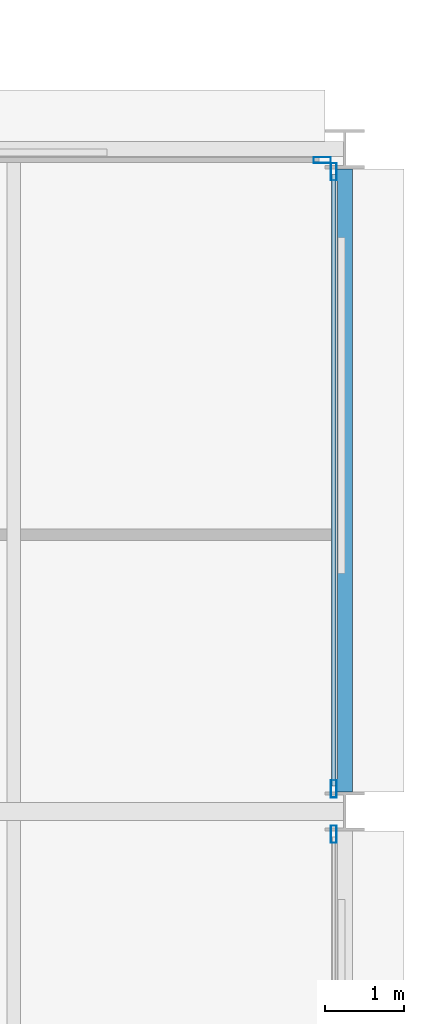
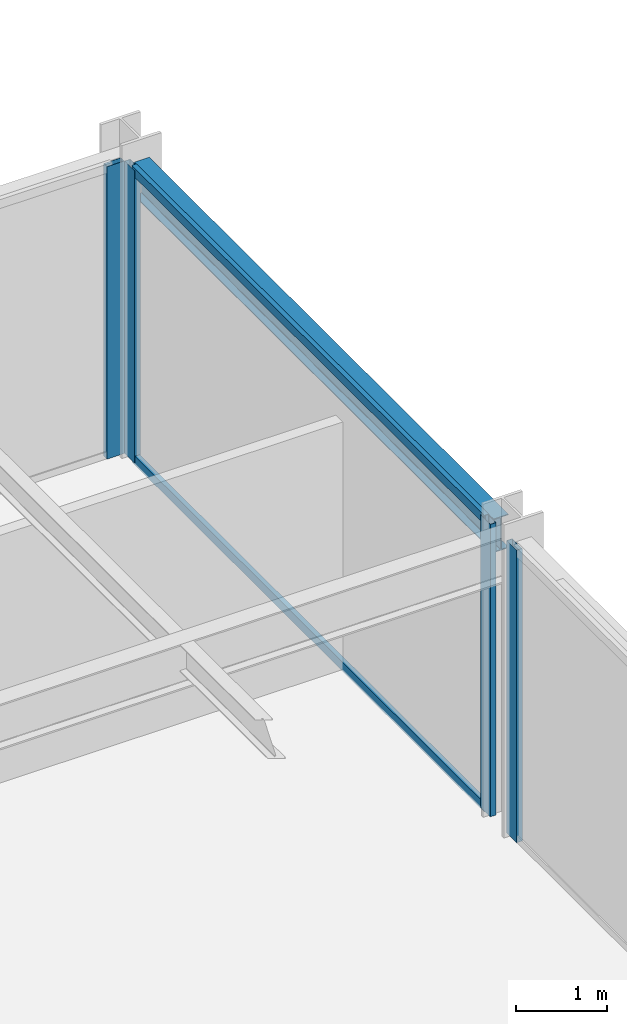
# One storey, part 13 of 25: 6 members, 1 beam, 3 elements without a shape of their own.
"""IFC4 building model written with IfcOpenShell, lengths in metres."""

from ifc_helpers import new_model, si_unit, direction, frame, origin, origin_2d, place, context, subcontext, project, spatial, hollow_rectangle, i_section, extrude, material, layer, layer_set, material_profile, profile_set, type_object, element, aggregate, save


model = new_model("IFC4")

# Units and contexts
model_context = context("Model", 3, precision=1e-05, world=origin(), true_north=direction((0.0, 1.0)))
body_context = subcontext(model_context, "Body", "Model", "MODEL_VIEW")
ifc_project = project(units=[si_unit("LENGTHUNIT", "METRE"), si_unit("AREAUNIT", "SQUARE_METRE"), si_unit("VOLUMEUNIT", "CUBIC_METRE"), si_unit("PLANEANGLEUNIT", "RADIAN"), si_unit("MASSUNIT", "GRAM", prefix="KILO")], contexts=[model_context])

# Site, building, storey
site_placement = place(None, origin())
site = spatial("IfcSite", under=ifc_project, at=site_placement, CompositionType="ELEMENT")
building_placement = place(site_placement, origin())
building = spatial("IfcBuilding", under=site, at=building_placement, Name="Nerrivon Quay Data Exchange", CompositionType="ELEMENT")
storey_placement = place(building_placement, frame((0.0, 0.0, 54.199951171875)))
storey = spatial("IfcBuildingStorey", under=building, at=storey_placement, Name="L12", CompositionType="ELEMENT", Elevation=54.199951171875)

# Beam
ifc_material_1 = material(Name="Steel Grade 350", Category="steel")
ifc_material_profile_1 = material_profile(ifc_material_1, i_section(OverallWidth=0.18994140625, OverallDepth=0.4541015625, WebThickness=0.008544921875, FlangeThickness=0.0126953125, FilletRadius=0.011474609375, at=origin_2d()), Name="460UB67.1")
ifc_profile_set_1 = profile_set([ifc_material_profile_1], Name="Steel Grade 350")
beam_type = type_object("IfcBeamType", Name="BM-SP1-460UB67", PredefinedType="SPANDREL", material=ifc_profile_set_1)
beam_placement = place(storey_placement, frame((50.39990234375, 17.050048828125, 3.697998046875), z_axis=(0.0, 1.0, 0.0), x_axis=(-1.0, 0.0, 0.0)))
element("IfcBeam", 1, at=beam_placement, inside=storey, type_object=beam_type, Name="L12 NS Girder X=50.4 (16.8..25.2)", PredefinedType="SPANDREL", context=body_context, shape_type="SweptSolid", body=[
    extrude(i_section(OverallWidth=0.18994140625, OverallDepth=0.4541015625, WebThickness=0.008544921875, FlangeThickness=0.0126953125, FilletRadius=0.011474609375, at=origin_2d()), origin(), (0.0, 0.0, 1.0), 7.89990234375),
])

# Curtain wall, member
ifc_material_2 = material(Name="Anodised aluminium 6063-T6", Category="aluminium")
ifc_layer = layer(ifc_material_2, 0.219970703125)
ifc_layer_set = layer_set([ifc_layer], Name="Anodised aluminium 6063-T6")
curtain_wall_type = type_object("IfcCurtainWallType", Name="CW-SYS-01", PredefinedType="NOTDEFINED", material=ifc_layer_set)
curtain_wall_1_placement = place(storey_placement, origin())
curtain_wall_1 = element("IfcCurtainWall", 2, at=curtain_wall_1_placement, inside=storey, type_object=curtain_wall_type, Name="L12 Unitised Curtain Wall 30", PredefinedType="NOTDEFINED")
ifc_material_profile_2 = material_profile(ifc_material_2, hollow_rectangle(XDim=0.074951171875, YDim=0.219970703125, WallThickness=0.00390625, at=origin_2d()), Name="ALU-MULL-220x75")
ifc_profile_set_2 = profile_set([ifc_material_profile_2], Name="Anodised aluminium 6063-T6")
member_type_1 = type_object("IfcMemberType", Name="CWM-220x75", PredefinedType="MULLION", material=ifc_profile_set_2)
member_1_placement = place(storey_placement, frame((50.112548828125, 25.06005859375, 0.0), z_axis=(0.0, 0.0, 1.0), x_axis=(0.0, 1.0, 0.0)))
member_1 = element("IfcMember", 3, at=member_1_placement, type_object=member_type_1, Name="CW01 mullion 2", PredefinedType="MULLION", context=body_context, shape_type="SweptSolid", body=[
    extrude(hollow_rectangle(XDim=0.074951171875, YDim=0.219970703125, WallThickness=0.00390625, at=origin_2d()), origin(), (0.0, 0.0, 1.0), 3.925048828125),
])
aggregate(curtain_wall_1, [member_1])

# Curtain wall, members
curtain_wall_2_placement = place(storey_placement, origin())
curtain_wall_2 = element("IfcCurtainWall", 4, at=curtain_wall_2_placement, inside=storey, type_object=curtain_wall_type, Name="L12 Unitised Curtain Wall 31", PredefinedType="NOTDEFINED")
member_2_placement = place(storey_placement, frame((50.260009765625, 24.91259765625, 0.0), z_axis=(0.0, 0.0, 1.0), x_axis=(1.0, 0.0, 0.0)))
member_2 = element("IfcMember", 5, at=member_2_placement, type_object=member_type_1, Name="CW01 mullion 1", PredefinedType="MULLION", context=body_context, shape_type="SweptSolid", body=[
    extrude(hollow_rectangle(XDim=0.074951171875, YDim=0.219970703125, WallThickness=0.00390625, at=origin_2d()), origin(), (0.0, 0.0, 1.0), 3.925048828125),
])
member_3_placement = place(storey_placement, frame((50.260009765625, 17.08740234375, 0.0), z_axis=(0.0, 0.0, 1.0), x_axis=(1.0, 0.0, 0.0)))
member_3 = element("IfcMember", 6, at=member_3_placement, type_object=member_type_1, Name="CW01 mullion 2", PredefinedType="MULLION", context=body_context, shape_type="SweptSolid", body=[
    extrude(hollow_rectangle(XDim=0.074951171875, YDim=0.219970703125, WallThickness=0.00390625, at=origin_2d()), origin(), (0.0, 0.0, 1.0), 3.925048828125),
])

# Curtain wall, member
curtain_wall_3_placement = place(storey_placement, origin())
curtain_wall_3 = element("IfcCurtainWall", 7, at=curtain_wall_3_placement, inside=storey, type_object=curtain_wall_type, Name="L12 Unitised Curtain Wall 32", PredefinedType="NOTDEFINED")
member_4_placement = place(storey_placement, frame((50.260009765625, 16.512451171875, 0.0), z_axis=(0.0, 0.0, 1.0), x_axis=(1.0, 0.0, 0.0)))
member_4 = element("IfcMember", 8, at=member_4_placement, type_object=member_type_1, Name="CW01 mullion 1", PredefinedType="MULLION", context=body_context, shape_type="SweptSolid", body=[
    extrude(hollow_rectangle(XDim=0.074951171875, YDim=0.219970703125, WallThickness=0.00390625, at=origin_2d()), origin(), (0.0, 0.0, 1.0), 3.925048828125),
])
aggregate(curtain_wall_3, [member_4])

# Member
ifc_material_profile_3 = material_profile(ifc_material_2, hollow_rectangle(XDim=0.06005859375, YDim=0.1201171875, WallThickness=0.003173828125, at=origin_2d()), Name="ALU-TRAN-120x60")
ifc_profile_set_3 = profile_set([ifc_material_profile_3], Name="Anodised aluminium 6063-T6")
member_type_2 = type_object("IfcMemberType", Name="CWT-120x60", PredefinedType="USERDEFINED", material=ifc_profile_set_3)
member_5_placement = place(storey_placement, frame((50.260009765625, 24.875, 0.032470703125), z_axis=(0.0, -1.0, 0.0), x_axis=(1.0, 0.0, 0.0)))
member_5 = element("IfcMember", 9, at=member_5_placement, type_object=member_type_2, Name="CW01 transom 1.1", ObjectType="TRANSOM", PredefinedType="USERDEFINED", context=body_context, shape_type="SweptSolid", body=[
    extrude(hollow_rectangle(XDim=0.06005859375, YDim=0.1201171875, WallThickness=0.003173828125, at=origin_2d()), origin(), (0.0, 0.0, 1.0), 7.75),
])

member_6_placement = place(storey_placement, frame((50.260009765625, 24.875, 3.892578125), z_axis=(0.0, -1.0, 0.0), x_axis=(1.0, 0.0, 0.0)))
member_6 = element("IfcMember", 10, at=member_6_placement, type_object=member_type_2, Name="CW01 transom 1.2", ObjectType="TRANSOM", PredefinedType="USERDEFINED", context=body_context, shape_type="SweptSolid", body=[
    extrude(hollow_rectangle(XDim=0.06005859375, YDim=0.1201171875, WallThickness=0.003173828125, at=origin_2d()), origin(), (0.0, 0.0, 1.0), 7.75),
])

aggregate(curtain_wall_2, [member_2, member_3, member_5, member_6])

save(model, "model.ifc")
